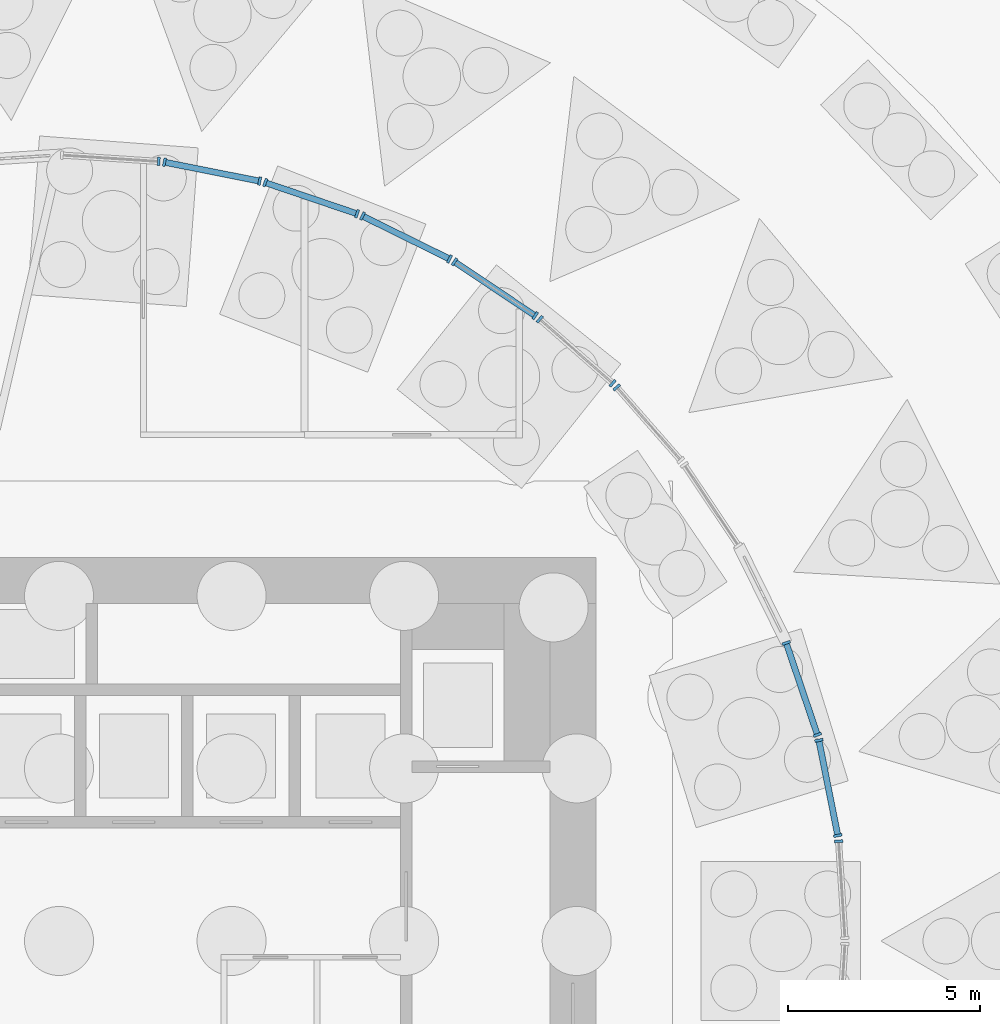
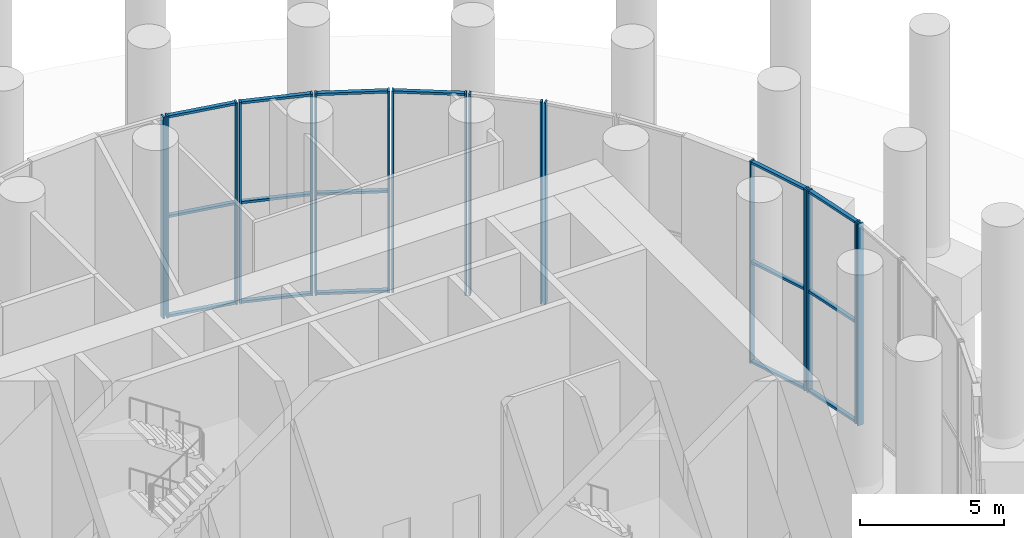
# One storey, part 9 of 20: 33 members, 10 elements without a shape of their own.
"""IFC4 building model written with IfcOpenShell, lengths in metres."""

from ifc_helpers import new_model, si_unit, direction, frame, origin, origin_2d, place, context, subcontext, project, spatial, rectangle, extrude, material, material_profile, profile_set, type_object, element, aggregate, save


model = new_model("IFC4")

# Units and contexts
model_context = context("Model", 3, precision=1e-05, world=origin(), true_north=direction((0.0, 1.0)))
body_context = subcontext(model_context, "Body", "Model", "MODEL_VIEW")
ifc_project = project(units=[si_unit("LENGTHUNIT", "METRE"), si_unit("AREAUNIT", "SQUARE_METRE"), si_unit("VOLUMEUNIT", "CUBIC_METRE"), si_unit("PLANEANGLEUNIT", "RADIAN"), si_unit("MASSUNIT", "GRAM", prefix="KILO")], contexts=[model_context])

# Site, building, storey
site_placement = place(None, origin())
site = spatial("IfcSite", under=ifc_project, at=site_placement, CompositionType="ELEMENT")
building_placement = place(site_placement, origin())
building = spatial("IfcBuilding", under=site, at=building_placement, Name="Tracery Tower", CompositionType="ELEMENT")
storey_placement = place(building_placement, origin())
storey = spatial("IfcBuildingStorey", under=building, at=storey_placement, Name="L00", CompositionType="ELEMENT", Elevation=0.0)

# Curtain wall, member
ifc_material_1 = material(Name="Aluminium curtain wall with tinted glass", Category="aluminium")
curtain_wall_type = type_object("IfcCurtainWallType", Name="Pavilion storefront curtain wall", PredefinedType="NOTDEFINED", material=ifc_material_1)
curtain_wall_1_placement = place(storey_placement, origin())
curtain_wall_1 = element("IfcCurtainWall", 1, at=curtain_wall_1_placement, inside=storey, type_object=curtain_wall_type, Name="Pavilion storefront run 00", PredefinedType="NOTDEFINED")
ifc_material_2 = material(Name="Aluminium, bronze anodised", Category="aluminium")
ifc_material_profile_1 = material_profile(ifc_material_2, rectangle(XDim=0.219970703125, YDim=0.070068359375, at=origin_2d()), Name="Pavilion storefront mullion 70 x 220")
ifc_profile_set_1 = profile_set([ifc_material_profile_1], Name="Aluminium, bronze anodised")
member_type_1 = type_object("IfcMemberType", Name="Pavilion storefront mullion 70 x 220", PredefinedType="MULLION", material=ifc_profile_set_1)
member_1_placement = place(storey_placement, frame((20.32958984375, 2.60107421875, 0.0), z_axis=(0.0, 0.0, 1.0), x_axis=(-0.997857689569, -0.065421948674, 0.0)))
member_1 = element("IfcMember", 2, at=member_1_placement, type_object=member_type_1, Name="CWB1 mullion 2", PredefinedType="MULLION", context=body_context, shape_type="SweptSolid", body=[
    extrude(rectangle(XDim=0.219970703125, YDim=0.070068359375, at=origin_2d()), origin(), (0.0, 0.0, 1.0), 8.550048828125),
])
aggregate(curtain_wall_1, [member_1])

# Curtain wall, members
curtain_wall_2_placement = place(storey_placement, origin())
curtain_wall_2 = element("IfcCurtainWall", 3, at=curtain_wall_2_placement, inside=storey, type_object=curtain_wall_type, Name="Pavilion storefront run 01", PredefinedType="NOTDEFINED")
member_2_placement = place(storey_placement, frame((20.31005859375, 2.749267578125, 0.0), z_axis=(0.0, 0.0, 1.0), x_axis=(-0.980788574976, -0.195073758352, 0.0)))
member_2 = element("IfcMember", 4, at=member_2_placement, type_object=member_type_1, Name="CWB1 mullion 1", PredefinedType="MULLION", context=body_context, shape_type="SweptSolid", body=[
    extrude(rectangle(XDim=0.219970703125, YDim=0.070068359375, at=origin_2d()), origin(), (0.0, 0.0, 1.0), 8.550048828125),
])
member_3_placement = place(storey_placement, frame((19.816162109375, 5.232177734375, 0.0), z_axis=(0.0, 0.0, 1.0), x_axis=(-0.980788574976, -0.195073758352, 0.0)))
member_3 = element("IfcMember", 5, at=member_3_placement, type_object=member_type_1, Name="CWB1 mullion 2", PredefinedType="MULLION", context=body_context, shape_type="SweptSolid", body=[
    extrude(rectangle(XDim=0.219970703125, YDim=0.070068359375, at=origin_2d()), origin(), (0.0, 0.0, 1.0), 8.550048828125),
])

curtain_wall_3_placement = place(storey_placement, origin())
curtain_wall_3 = element("IfcCurtainWall", 6, at=curtain_wall_3_placement, inside=storey, type_object=curtain_wall_type, Name="Pavilion storefront run 02", PredefinedType="NOTDEFINED")
member_4_placement = place(storey_placement, frame((19.77734375, 5.376953125, 0.0), z_axis=(0.0, 0.0, 1.0), x_axis=(-0.946931489225, -0.32143545964, 0.0)))
member_4 = element("IfcMember", 7, at=member_4_placement, type_object=member_type_1, Name="CWB1 mullion 1", PredefinedType="MULLION", context=body_context, shape_type="SweptSolid", body=[
    extrude(rectangle(XDim=0.219970703125, YDim=0.070068359375, at=origin_2d()), origin(), (0.0, 0.0, 1.0), 8.550048828125),
])
member_5_placement = place(storey_placement, frame((18.963623046875, 7.77392578125, 0.0), z_axis=(0.0, 0.0, 1.0), x_axis=(-0.946931489225, -0.32143545964, 0.0)))
member_5 = element("IfcMember", 8, at=member_5_placement, type_object=member_type_1, Name="CWB1 mullion 2", PredefinedType="MULLION", context=body_context, shape_type="SweptSolid", body=[
    extrude(rectangle(XDim=0.219970703125, YDim=0.070068359375, at=origin_2d()), origin(), (0.0, 0.0, 1.0), 8.550048828125),
])

# Curtain wall, member
curtain_wall_4_placement = place(storey_placement, origin())
curtain_wall_4 = element("IfcCurtainWall", 9, at=curtain_wall_4_placement, inside=storey, type_object=curtain_wall_type, Name="Pavilion storefront run 05", PredefinedType="NOTDEFINED")
member_6_placement = place(storey_placement, frame((14.545166015625, 14.439208984375, 0.0), z_axis=(0.0, 0.0, 1.0), x_axis=(-0.751835665604, -0.659350537973, 0.0)))
member_6 = element("IfcMember", 10, at=member_6_placement, type_object=member_type_1, Name="CWB1 mullion 2", PredefinedType="MULLION", context=body_context, shape_type="SweptSolid", body=[
    extrude(rectangle(XDim=0.219970703125, YDim=0.070068359375, at=origin_2d()), origin(), (0.0, 0.0, 1.0), 8.550048828125),
])
aggregate(curtain_wall_4, [member_6])

# Curtain wall, members
curtain_wall_5_placement = place(storey_placement, origin())
curtain_wall_5 = element("IfcCurtainWall", 11, at=curtain_wall_5_placement, inside=storey, type_object=curtain_wall_type, Name="Pavilion storefront run 06", PredefinedType="NOTDEFINED")
member_7_placement = place(storey_placement, frame((14.439208984375, 14.545166015625, 0.0), z_axis=(0.0, 0.0, 1.0), x_axis=(-0.659350537973, -0.751835665604, 0.0)))
member_7 = element("IfcMember", 12, at=member_7_placement, type_object=member_type_1, Name="CWB1 mullion 1", PredefinedType="MULLION", context=body_context, shape_type="SweptSolid", body=[
    extrude(rectangle(XDim=0.219970703125, YDim=0.070068359375, at=origin_2d()), origin(), (0.0, 0.0, 1.0), 8.550048828125),
])
member_8_placement = place(storey_placement, frame((12.5361328125, 16.21435546875, 0.0), z_axis=(0.0, 0.0, 1.0), x_axis=(-0.659350537973, -0.751835665604, 0.0)))
member_8 = element("IfcMember", 13, at=member_8_placement, type_object=member_type_1, Name="CWB1 mullion 2", PredefinedType="MULLION", context=body_context, shape_type="SweptSolid", body=[
    extrude(rectangle(XDim=0.219970703125, YDim=0.070068359375, at=origin_2d()), origin(), (0.0, 0.0, 1.0), 8.550048828125),
])
aggregate(curtain_wall_5, [member_7, member_8])

curtain_wall_6_placement = place(storey_placement, origin())
curtain_wall_6 = element("IfcCurtainWall", 14, at=curtain_wall_6_placement, inside=storey, type_object=curtain_wall_type, Name="Pavilion storefront run 07", PredefinedType="NOTDEFINED")
member_9_placement = place(storey_placement, frame((12.417236328125, 16.305419921875, 0.0), z_axis=(0.0, 0.0, 1.0), x_axis=(-0.555560344148, -0.83147621975, 0.0)))
member_9 = element("IfcMember", 15, at=member_9_placement, type_object=member_type_1, Name="CWB1 mullion 1", PredefinedType="MULLION", context=body_context, shape_type="SweptSolid", body=[
    extrude(rectangle(XDim=0.219970703125, YDim=0.070068359375, at=origin_2d()), origin(), (0.0, 0.0, 1.0), 8.550048828125),
])
member_10_placement = place(storey_placement, frame((10.3125, 17.7119140625, 0.0), z_axis=(0.0, 0.0, 1.0), x_axis=(-0.555560344148, -0.83147621975, 0.0)))
member_10 = element("IfcMember", 16, at=member_10_placement, type_object=member_type_1, Name="CWB1 mullion 2", PredefinedType="MULLION", context=body_context, shape_type="SweptSolid", body=[
    extrude(rectangle(XDim=0.219970703125, YDim=0.070068359375, at=origin_2d()), origin(), (0.0, 0.0, 1.0), 8.550048828125),
])

curtain_wall_7_placement = place(storey_placement, origin())
curtain_wall_7 = element("IfcCurtainWall", 17, at=curtain_wall_7_placement, inside=storey, type_object=curtain_wall_type, Name="Pavilion storefront run 08", PredefinedType="NOTDEFINED")
member_11_placement = place(storey_placement, frame((10.1826171875, 17.78662109375, 0.0), z_axis=(0.0, 0.0, 1.0), x_axis=(-0.442286554251, -0.896873794872, 0.0)))
member_11 = element("IfcMember", 18, at=member_11_placement, type_object=member_type_1, Name="CWB1 mullion 1", PredefinedType="MULLION", context=body_context, shape_type="SweptSolid", body=[
    extrude(rectangle(XDim=0.219970703125, YDim=0.070068359375, at=origin_2d()), origin(), (0.0, 0.0, 1.0), 8.550048828125),
])
member_12_placement = place(storey_placement, frame((7.912353515625, 18.90625, 0.0), z_axis=(0.0, 0.0, 1.0), x_axis=(-0.442286554251, -0.896873794872, 0.0)))
member_12 = element("IfcMember", 19, at=member_12_placement, type_object=member_type_1, Name="CWB1 mullion 2", PredefinedType="MULLION", context=body_context, shape_type="SweptSolid", body=[
    extrude(rectangle(XDim=0.219970703125, YDim=0.070068359375, at=origin_2d()), origin(), (0.0, 0.0, 1.0), 8.550048828125),
])

curtain_wall_8_placement = place(storey_placement, origin())
curtain_wall_8 = element("IfcCurtainWall", 20, at=curtain_wall_8_placement, inside=storey, type_object=curtain_wall_type, Name="Pavilion storefront run 09", PredefinedType="NOTDEFINED")
member_13_placement = place(storey_placement, frame((7.77392578125, 18.963623046875, 0.0), z_axis=(0.0, 0.0, 1.0), x_axis=(-0.32143545964, -0.946931489225, 0.0)))
member_13 = element("IfcMember", 21, at=member_13_placement, type_object=member_type_1, Name="CWB1 mullion 1", PredefinedType="MULLION", context=body_context, shape_type="SweptSolid", body=[
    extrude(rectangle(XDim=0.219970703125, YDim=0.070068359375, at=origin_2d()), origin(), (0.0, 0.0, 1.0), 8.550048828125),
])
member_14_placement = place(storey_placement, frame((5.376953125, 19.77734375, 0.0), z_axis=(0.0, 0.0, 1.0), x_axis=(-0.32143545964, -0.946931489225, 0.0)))
member_14 = element("IfcMember", 22, at=member_14_placement, type_object=member_type_1, Name="CWB1 mullion 2", PredefinedType="MULLION", context=body_context, shape_type="SweptSolid", body=[
    extrude(rectangle(XDim=0.219970703125, YDim=0.070068359375, at=origin_2d()), origin(), (0.0, 0.0, 1.0), 8.550048828125),
])

curtain_wall_9_placement = place(storey_placement, origin())
curtain_wall_9 = element("IfcCurtainWall", 23, at=curtain_wall_9_placement, inside=storey, type_object=curtain_wall_type, Name="Pavilion storefront run 10", PredefinedType="NOTDEFINED")
member_15_placement = place(storey_placement, frame((5.232177734375, 19.816162109375, 0.0), z_axis=(0.0, 0.0, 1.0), x_axis=(-0.195073758352, -0.980788574976, 0.0)))
member_15 = element("IfcMember", 24, at=member_15_placement, type_object=member_type_1, Name="CWB1 mullion 1", PredefinedType="MULLION", context=body_context, shape_type="SweptSolid", body=[
    extrude(rectangle(XDim=0.219970703125, YDim=0.070068359375, at=origin_2d()), origin(), (0.0, 0.0, 1.0), 8.550048828125),
])
member_16_placement = place(storey_placement, frame((2.749267578125, 20.31005859375, 0.0), z_axis=(0.0, 0.0, 1.0), x_axis=(-0.195073758352, -0.980788574976, 0.0)))
member_16 = element("IfcMember", 25, at=member_16_placement, type_object=member_type_1, Name="CWB1 mullion 2", PredefinedType="MULLION", context=body_context, shape_type="SweptSolid", body=[
    extrude(rectangle(XDim=0.219970703125, YDim=0.070068359375, at=origin_2d()), origin(), (0.0, 0.0, 1.0), 8.550048828125),
])

# Curtain wall, member
curtain_wall_10_placement = place(storey_placement, origin())
curtain_wall_10 = element("IfcCurtainWall", 26, at=curtain_wall_10_placement, inside=storey, type_object=curtain_wall_type, Name="Pavilion storefront run 11", PredefinedType="NOTDEFINED")
member_17_placement = place(storey_placement, frame((2.60107421875, 20.32958984375, 0.0), z_axis=(0.0, 0.0, 1.0), x_axis=(-0.065421948674, -0.997857689569, 0.0)))
member_17 = element("IfcMember", 27, at=member_17_placement, type_object=member_type_1, Name="CWB1 mullion 1", PredefinedType="MULLION", context=body_context, shape_type="SweptSolid", body=[
    extrude(rectangle(XDim=0.219970703125, YDim=0.070068359375, at=origin_2d()), origin(), (0.0, 0.0, 1.0), 8.550048828125),
])
aggregate(curtain_wall_10, [member_17])

# Member
ifc_material_3 = material(Name="Aluminium, bronze anodised", Category="aluminium")
ifc_material_profile_2 = material_profile(ifc_material_3, rectangle(XDim=0.159912109375, YDim=0.10009765625, at=origin_2d()), Name="Pavilion storefront transom 100 x 160")
ifc_profile_set_2 = profile_set([ifc_material_profile_2], Name="Aluminium, bronze anodised")
member_type_2 = type_object("IfcMemberType", Name="Pavilion storefront transom 100 x 160", PredefinedType="USERDEFINED", material=ifc_profile_set_2)
member_18_placement = place(storey_placement, frame((20.30322265625, 2.78369140625, 0.050048828125), z_axis=(-0.195086085948, 0.980786123, 0.0), x_axis=(-0.980786123, -0.195086085948, 0.0)))
member_18 = element("IfcMember", 28, at=member_18_placement, type_object=member_type_2, Name="CWB1 transom 1.1", ObjectType="TRANSOM", PredefinedType="USERDEFINED", context=body_context, shape_type="SweptSolid", body=[
    extrude(rectangle(XDim=0.159912109375, YDim=0.10009765625, at=origin_2d()), origin(), (0.0, 0.0, 1.0), 2.461669921875),
])

member_19_placement = place(storey_placement, frame((20.30322265625, 2.78369140625, 4.27490234375), z_axis=(-0.195086085948, 0.980786123, 0.0), x_axis=(-0.980786123, -0.195086085948, 0.0)))
member_19 = element("IfcMember", 29, at=member_19_placement, type_object=member_type_2, Name="CWB1 transom 1.2", ObjectType="TRANSOM", PredefinedType="USERDEFINED", context=body_context, shape_type="SweptSolid", body=[
    extrude(rectangle(XDim=0.159912109375, YDim=0.10009765625, at=origin_2d()), origin(), (0.0, 0.0, 1.0), 2.461669921875),
])

member_20_placement = place(storey_placement, frame((20.30322265625, 2.78369140625, 8.5), z_axis=(-0.195086085948, 0.980786123, 0.0), x_axis=(-0.980786123, -0.195086085948, 0.0)))
member_20 = element("IfcMember", 30, at=member_20_placement, type_object=member_type_2, Name="CWB1 transom 1.3", ObjectType="TRANSOM", PredefinedType="USERDEFINED", context=body_context, shape_type="SweptSolid", body=[
    extrude(rectangle(XDim=0.159912109375, YDim=0.10009765625, at=origin_2d()), origin(), (0.0, 0.0, 1.0), 2.461669921875),
])

aggregate(curtain_wall_2, [member_2, member_3, member_18, member_19, member_20])

member_21_placement = place(storey_placement, frame((19.76611328125, 5.409912109375, 0.050048828125), z_axis=(-0.32145993775, 0.946923179789, 0.0), x_axis=(-0.946923179789, -0.32145993775, 0.0)))
member_21 = element("IfcMember", 31, at=member_21_placement, type_object=member_type_2, Name="CWB1 transom 1.1", ObjectType="TRANSOM", PredefinedType="USERDEFINED", context=body_context, shape_type="SweptSolid", body=[
    extrude(rectangle(XDim=0.159912109375, YDim=0.10009765625, at=origin_2d()), origin(), (0.0, 0.0, 1.0), 2.46142578125),
])

member_22_placement = place(storey_placement, frame((19.76611328125, 5.409912109375, 4.27490234375), z_axis=(-0.32145993775, 0.946923179789, 0.0), x_axis=(-0.946923179789, -0.32145993775, 0.0)))
member_22 = element("IfcMember", 32, at=member_22_placement, type_object=member_type_2, Name="CWB1 transom 1.2", ObjectType="TRANSOM", PredefinedType="USERDEFINED", context=body_context, shape_type="SweptSolid", body=[
    extrude(rectangle(XDim=0.159912109375, YDim=0.10009765625, at=origin_2d()), origin(), (0.0, 0.0, 1.0), 2.46142578125),
])

member_23_placement = place(storey_placement, frame((19.76611328125, 5.409912109375, 8.5), z_axis=(-0.32145993775, 0.946923179789, 0.0), x_axis=(-0.946923179789, -0.32145993775, 0.0)))
member_23 = element("IfcMember", 33, at=member_23_placement, type_object=member_type_2, Name="CWB1 transom 1.3", ObjectType="TRANSOM", PredefinedType="USERDEFINED", context=body_context, shape_type="SweptSolid", body=[
    extrude(rectangle(XDim=0.159912109375, YDim=0.10009765625, at=origin_2d()), origin(), (0.0, 0.0, 1.0), 2.46142578125),
])

aggregate(curtain_wall_3, [member_4, member_5, member_21, member_22, member_23])

member_24_placement = place(storey_placement, frame((12.38818359375, 16.324951171875, 8.5), z_axis=(-0.831485259968, 0.555546813919, 0.0), x_axis=(-0.555546813919, -0.831485259968, 0.0)))
member_24 = element("IfcMember", 34, at=member_24_placement, type_object=member_type_2, Name="CWB1 transom 1.3", ObjectType="TRANSOM", PredefinedType="USERDEFINED", context=body_context, shape_type="SweptSolid", body=[
    extrude(rectangle(XDim=0.159912109375, YDim=0.10009765625, at=origin_2d()), origin(), (0.0, 0.0, 1.0), 2.46142578125),
])

aggregate(curtain_wall_6, [member_9, member_10, member_24])

member_25_placement = place(storey_placement, frame((10.1513671875, 17.80224609375, 0.050048828125), z_axis=(-0.896892966216, 0.442247676253, 0.0), x_axis=(-0.442247676253, -0.896892966216, 0.0)))
member_25 = element("IfcMember", 35, at=member_25_placement, type_object=member_type_2, Name="CWB1 transom 1.1", ObjectType="TRANSOM", PredefinedType="USERDEFINED", context=body_context, shape_type="SweptSolid", body=[
    extrude(rectangle(XDim=0.159912109375, YDim=0.10009765625, at=origin_2d()), origin(), (0.0, 0.0, 1.0), 2.461669921875),
])

member_26_placement = place(storey_placement, frame((10.1513671875, 17.80224609375, 4.27490234375), z_axis=(-0.896892966216, 0.442247676253, 0.0), x_axis=(-0.442247676253, -0.896892966216, 0.0)))
member_26 = element("IfcMember", 36, at=member_26_placement, type_object=member_type_2, Name="CWB1 transom 1.2", ObjectType="TRANSOM", PredefinedType="USERDEFINED", context=body_context, shape_type="SweptSolid", body=[
    extrude(rectangle(XDim=0.159912109375, YDim=0.10009765625, at=origin_2d()), origin(), (0.0, 0.0, 1.0), 2.461669921875),
])

member_27_placement = place(storey_placement, frame((10.1513671875, 17.80224609375, 8.5), z_axis=(-0.896892966216, 0.442247676253, 0.0), x_axis=(-0.442247676253, -0.896892966216, 0.0)))
member_27 = element("IfcMember", 37, at=member_27_placement, type_object=member_type_2, Name="CWB1 transom 1.3", ObjectType="TRANSOM", PredefinedType="USERDEFINED", context=body_context, shape_type="SweptSolid", body=[
    extrude(rectangle(XDim=0.159912109375, YDim=0.10009765625, at=origin_2d()), origin(), (0.0, 0.0, 1.0), 2.461669921875),
])

aggregate(curtain_wall_7, [member_11, member_12, member_25, member_26, member_27])

member_28_placement = place(storey_placement, frame((7.74072265625, 18.974853515625, 0.050048828125), z_axis=(-0.946923179789, 0.32145993775, 0.0), x_axis=(-0.32145993775, -0.946923179789, 0.0)))
member_28 = element("IfcMember", 38, at=member_28_placement, type_object=member_type_2, Name="CWB1 transom 1.1", ObjectType="TRANSOM", PredefinedType="USERDEFINED", context=body_context, shape_type="SweptSolid", body=[
    extrude(rectangle(XDim=0.159912109375, YDim=0.10009765625, at=origin_2d()), origin(), (0.0, 0.0, 1.0), 2.46142578125),
])

member_29_placement = place(storey_placement, frame((7.74072265625, 18.974853515625, 4.27490234375), z_axis=(-0.946923179789, 0.32145993775, 0.0), x_axis=(-0.32145993775, -0.946923179789, 0.0)))
member_29 = element("IfcMember", 39, at=member_29_placement, type_object=member_type_2, Name="CWB1 transom 1.2", ObjectType="TRANSOM", PredefinedType="USERDEFINED", context=body_context, shape_type="SweptSolid", body=[
    extrude(rectangle(XDim=0.159912109375, YDim=0.10009765625, at=origin_2d()), origin(), (0.0, 0.0, 1.0), 2.46142578125),
])

member_30_placement = place(storey_placement, frame((7.74072265625, 18.974853515625, 8.5), z_axis=(-0.946923179789, 0.32145993775, 0.0), x_axis=(-0.32145993775, -0.946923179789, 0.0)))
member_30 = element("IfcMember", 40, at=member_30_placement, type_object=member_type_2, Name="CWB1 transom 1.3", ObjectType="TRANSOM", PredefinedType="USERDEFINED", context=body_context, shape_type="SweptSolid", body=[
    extrude(rectangle(XDim=0.159912109375, YDim=0.10009765625, at=origin_2d()), origin(), (0.0, 0.0, 1.0), 2.46142578125),
])

aggregate(curtain_wall_8, [member_13, member_14, member_28, member_29, member_30])

member_31_placement = place(storey_placement, frame((5.197998046875, 19.822998046875, 0.050048828125), z_axis=(-0.980786123, 0.195086085948, 0.0), x_axis=(-0.195086085948, -0.980786123, 0.0)))
member_31 = element("IfcMember", 41, at=member_31_placement, type_object=member_type_2, Name="CWB1 transom 1.1", ObjectType="TRANSOM", PredefinedType="USERDEFINED", context=body_context, shape_type="SweptSolid", body=[
    extrude(rectangle(XDim=0.159912109375, YDim=0.10009765625, at=origin_2d()), origin(), (0.0, 0.0, 1.0), 2.461669921875),
])

member_32_placement = place(storey_placement, frame((5.197998046875, 19.822998046875, 4.27490234375), z_axis=(-0.980786123, 0.195086085948, 0.0), x_axis=(-0.195086085948, -0.980786123, 0.0)))
member_32 = element("IfcMember", 42, at=member_32_placement, type_object=member_type_2, Name="CWB1 transom 1.2", ObjectType="TRANSOM", PredefinedType="USERDEFINED", context=body_context, shape_type="SweptSolid", body=[
    extrude(rectangle(XDim=0.159912109375, YDim=0.10009765625, at=origin_2d()), origin(), (0.0, 0.0, 1.0), 2.461669921875),
])

member_33_placement = place(storey_placement, frame((5.197998046875, 19.822998046875, 8.5), z_axis=(-0.980786123, 0.195086085948, 0.0), x_axis=(-0.195086085948, -0.980786123, 0.0)))
member_33 = element("IfcMember", 43, at=member_33_placement, type_object=member_type_2, Name="CWB1 transom 1.3", ObjectType="TRANSOM", PredefinedType="USERDEFINED", context=body_context, shape_type="SweptSolid", body=[
    extrude(rectangle(XDim=0.159912109375, YDim=0.10009765625, at=origin_2d()), origin(), (0.0, 0.0, 1.0), 2.461669921875),
])

aggregate(curtain_wall_9, [member_15, member_16, member_31, member_32, member_33])

save(model, "model.ifc")
